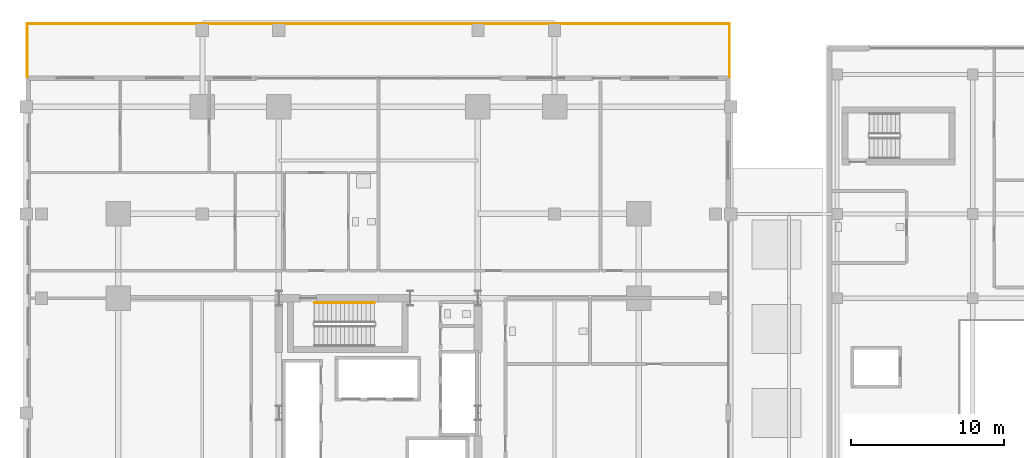
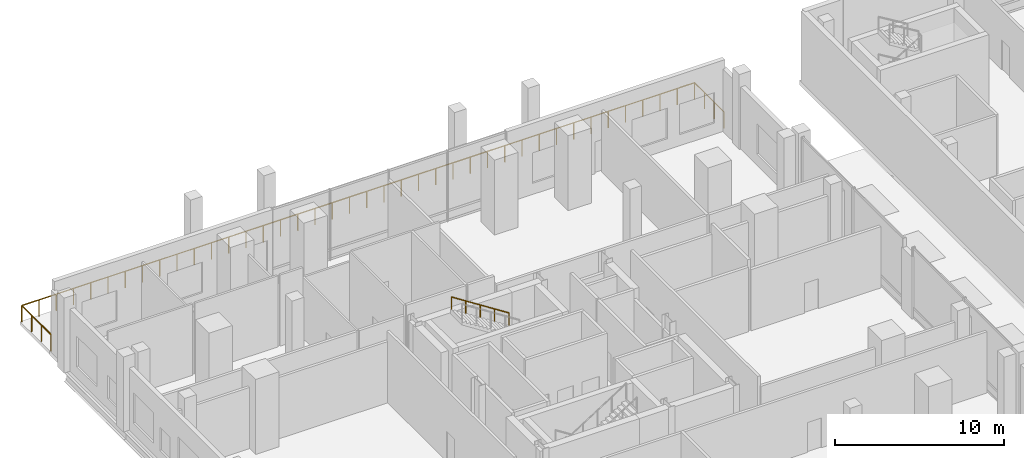
# One storey, part 33 of 36: 2 railings.
"""IFC4 building model written with IfcOpenShell, lengths in metres."""

from ifc_helpers import new_model, si_unit, direction, frame, origin, origin_2d, place, context, subcontext, project, spatial, circle, extrude, material, type_object, element, save


model = new_model("IFC4")

# Units and contexts
model_context = context("Model", 3, precision=1e-05, world=origin(), true_north=direction((0.0, 1.0)))
body_context = subcontext(model_context, "Body", "Model", "MODEL_VIEW")
ifc_project = project(units=[si_unit("LENGTHUNIT", "METRE"), si_unit("AREAUNIT", "SQUARE_METRE"), si_unit("VOLUMEUNIT", "CUBIC_METRE"), si_unit("PLANEANGLEUNIT", "RADIAN"), si_unit("MASSUNIT", "GRAM", prefix="KILO")], contexts=[model_context])

# Site, building, storey
site_placement = place(None, origin())
site = spatial("IfcSite", under=ifc_project, at=site_placement, CompositionType="ELEMENT")
building_placement = place(site_placement, origin())
building = spatial("IfcBuilding", under=site, at=building_placement, Name="Barlavira Tower and Art Museum", CompositionType="ELEMENT")
storey_placement = place(building_placement, frame((0.0, 0.0, 11.39990234375)))
storey = spatial("IfcBuildingStorey", under=building, at=storey_placement, Name="L02", CompositionType="ELEMENT", Elevation=11.39990234375)

# Railings
ifc_material_1 = material(Name="Brushed stainless steel", Category="steel")
railing_type_1 = type_object("IfcRailingType", Name="Stair Pitch Tubular Steel Handrail 920", PredefinedType="HANDRAIL", material=ifc_material_1)
railing_1_placement = place(storey_placement, frame((-0.25, 7.199951171875, 2.880126953125)))
element("IfcRailing", 1, at=railing_1_placement, inside=storey, type_object=railing_type_1, Name="L02 ST-T2 stair handrail 2", PredefinedType="HANDRAIL", context=body_context, shape_type="SweptSolid", body=[
    extrude(circle(Radius=0.02392578125, at=origin_2d()), frame((0.0, 0.0, 0.8759765625), z_axis=(-0.841171666519, 0.0, 0.540768182723), x_axis=(0.0, -1.0, 0.0)), (0.0, 0.0, 1.0), 4.66015625),
    extrude(circle(Radius=0.02099609375, at=origin_2d()), origin(), (0.0, 0.0, 1.0), 0.851806640625),
    extrude(circle(Radius=0.02099609375, at=origin_2d()), frame((-0.97998046875, 0.0, 0.6298828125)), (0.0, 0.0, 1.0), 0.851806640625),
    extrude(circle(Radius=0.02099609375, at=origin_2d()), frame((-1.9599609375, 0.0, 1.260009765625)), (0.0, 0.0, 1.0), 0.851806640625),
    extrude(circle(Radius=0.02099609375, at=origin_2d()), frame((-2.93994140625, 0.0, 1.89013671875)), (0.0, 0.0, 1.0), 0.851806640625),
    extrude(circle(Radius=0.02099609375, at=origin_2d()), frame((-3.919921875, 0.0, 2.52001953125)), (0.0, 0.0, 1.0), 0.851806640625),
])
ifc_material_2 = material(Name="Laminated safety glass and stainless steel", Category="steel")
railing_type_2 = type_object("IfcRailingType", Name="Terrace and Wind-Floor Laminated Glass Balustrade 1200", PredefinedType="BALUSTRADE", material=ifc_material_2)
railing_2_placement = place(storey_placement, frame((-22.919921875, 21.949951171875, 0.0)))
element("IfcRailing", 2, at=railing_2_placement, inside=storey, type_object=railing_type_2, Name="L02 North Cascade Terrace Balustrade", PredefinedType="BALUSTRADE", context=body_context, shape_type="SweptSolid", body=[
    extrude(circle(Radius=0.02392578125, at=origin_2d()), frame((0.0, 0.0, 1.17578125), z_axis=(0.0, 1.0, 0.0), x_axis=(-1.0, 0.0, 0.0)), (0.0, 0.0, 1.0), 3.469970703125),
    extrude(circle(Radius=0.02392578125, at=origin_2d()), frame((0.0, 3.469970703125, 1.17578125), z_axis=(1.0, 0.0, 0.0), x_axis=(0.0, 1.0, 0.0)), (0.0, 0.0, 1.0), 45.83984375),
    extrude(circle(Radius=0.02392578125, at=origin_2d()), frame((45.83984375, 3.469970703125, 1.17578125), z_axis=(0.0, -1.0, 0.0), x_axis=(1.0, 0.0, 0.0)), (0.0, 0.0, 1.0), 3.469970703125),
    extrude(circle(Radius=0.02099609375, at=origin_2d()), origin(), (0.0, 0.0, 1.0), 1.15185546875),
    extrude(circle(Radius=0.02099609375, at=origin_2d()), frame((0.0, 1.15673828125, 0.0)), (0.0, 0.0, 1.0), 1.15185546875),
    extrude(circle(Radius=0.02099609375, at=origin_2d()), frame((0.0, 2.313232421875, 0.0)), (0.0, 0.0, 1.0), 1.15185546875),
    extrude(circle(Radius=0.02099609375, at=origin_2d()), frame((0.0, 3.469970703125, 0.0)), (0.0, 0.0, 1.0), 1.15185546875),
    extrude(circle(Radius=0.02099609375, at=origin_2d()), frame((1.17529296875, 3.469970703125, 0.0)), (0.0, 0.0, 1.0), 1.15185546875),
    extrude(circle(Radius=0.02099609375, at=origin_2d()), frame((2.350830078125, 3.469970703125, 0.0)), (0.0, 0.0, 1.0), 1.15185546875),
    extrude(circle(Radius=0.02099609375, at=origin_2d()), frame((3.526123046875, 3.469970703125, 0.0)), (0.0, 0.0, 1.0), 1.15185546875),
    extrude(circle(Radius=0.02099609375, at=origin_2d()), frame((4.701416015625, 3.469970703125, 0.0)), (0.0, 0.0, 1.0), 1.15185546875),
    extrude(circle(Radius=0.02099609375, at=origin_2d()), frame((5.876953125, 3.469970703125, 0.0)), (0.0, 0.0, 1.0), 1.15185546875),
    extrude(circle(Radius=0.02099609375, at=origin_2d()), frame((7.05224609375, 3.469970703125, 0.0)), (0.0, 0.0, 1.0), 1.15185546875),
    extrude(circle(Radius=0.02099609375, at=origin_2d()), frame((8.227783203125, 3.469970703125, 0.0)), (0.0, 0.0, 1.0), 1.15185546875),
    extrude(circle(Radius=0.02099609375, at=origin_2d()), frame((9.403076171875, 3.469970703125, 0.0)), (0.0, 0.0, 1.0), 1.15185546875),
    extrude(circle(Radius=0.02099609375, at=origin_2d()), frame((10.578369140625, 3.469970703125, 0.0)), (0.0, 0.0, 1.0), 1.15185546875),
    extrude(circle(Radius=0.02099609375, at=origin_2d()), frame((11.75390625, 3.469970703125, 0.0)), (0.0, 0.0, 1.0), 1.15185546875),
    extrude(circle(Radius=0.02099609375, at=origin_2d()), frame((12.92919921875, 3.469970703125, 0.0)), (0.0, 0.0, 1.0), 1.15185546875),
    extrude(circle(Radius=0.02099609375, at=origin_2d()), frame((14.1044921875, 3.469970703125, 0.0)), (0.0, 0.0, 1.0), 1.15185546875),
    extrude(circle(Radius=0.02099609375, at=origin_2d()), frame((15.280029296875, 3.469970703125, 0.0)), (0.0, 0.0, 1.0), 1.15185546875),
    extrude(circle(Radius=0.02099609375, at=origin_2d()), frame((16.455322265625, 3.469970703125, 0.0)), (0.0, 0.0, 1.0), 1.15185546875),
    extrude(circle(Radius=0.02099609375, at=origin_2d()), frame((17.630615234375, 3.469970703125, 0.0)), (0.0, 0.0, 1.0), 1.15185546875),
    extrude(circle(Radius=0.02099609375, at=origin_2d()), frame((18.80615234375, 3.469970703125, 0.0)), (0.0, 0.0, 1.0), 1.15185546875),
    extrude(circle(Radius=0.02099609375, at=origin_2d()), frame((19.9814453125, 3.469970703125, 0.0)), (0.0, 0.0, 1.0), 1.15185546875),
    extrude(circle(Radius=0.02099609375, at=origin_2d()), frame((21.15673828125, 3.469970703125, 0.0)), (0.0, 0.0, 1.0), 1.15185546875),
    extrude(circle(Radius=0.02099609375, at=origin_2d()), frame((22.332275390625, 3.469970703125, 0.0)), (0.0, 0.0, 1.0), 1.15185546875),
    extrude(circle(Radius=0.02099609375, at=origin_2d()), frame((23.507568359375, 3.469970703125, 0.0)), (0.0, 0.0, 1.0), 1.15185546875),
    extrude(circle(Radius=0.02099609375, at=origin_2d()), frame((24.68310546875, 3.469970703125, 0.0)), (0.0, 0.0, 1.0), 1.15185546875),
    extrude(circle(Radius=0.02099609375, at=origin_2d()), frame((25.8583984375, 3.469970703125, 0.0)), (0.0, 0.0, 1.0), 1.15185546875),
    extrude(circle(Radius=0.02099609375, at=origin_2d()), frame((27.03369140625, 3.469970703125, 0.0)), (0.0, 0.0, 1.0), 1.15185546875),
    extrude(circle(Radius=0.02099609375, at=origin_2d()), frame((28.209228515625, 3.469970703125, 0.0)), (0.0, 0.0, 1.0), 1.15185546875),
    extrude(circle(Radius=0.02099609375, at=origin_2d()), frame((29.384521484375, 3.469970703125, 0.0)), (0.0, 0.0, 1.0), 1.15185546875),
    extrude(circle(Radius=0.02099609375, at=origin_2d()), frame((30.559814453125, 3.469970703125, 0.0)), (0.0, 0.0, 1.0), 1.15185546875),
    extrude(circle(Radius=0.02099609375, at=origin_2d()), frame((31.7353515625, 3.469970703125, 0.0)), (0.0, 0.0, 1.0), 1.15185546875),
    extrude(circle(Radius=0.02099609375, at=origin_2d()), frame((32.91064453125, 3.469970703125, 0.0)), (0.0, 0.0, 1.0), 1.15185546875),
    extrude(circle(Radius=0.02099609375, at=origin_2d()), frame((34.0859375, 3.469970703125, 0.0)), (0.0, 0.0, 1.0), 1.15185546875),
    extrude(circle(Radius=0.02099609375, at=origin_2d()), frame((35.261474609375, 3.469970703125, 0.0)), (0.0, 0.0, 1.0), 1.15185546875),
    extrude(circle(Radius=0.02099609375, at=origin_2d()), frame((36.436767578125, 3.469970703125, 0.0)), (0.0, 0.0, 1.0), 1.15185546875),
    extrude(circle(Radius=0.02099609375, at=origin_2d()), frame((37.612060546875, 3.469970703125, 0.0)), (0.0, 0.0, 1.0), 1.15185546875),
    extrude(circle(Radius=0.02099609375, at=origin_2d()), frame((38.78759765625, 3.469970703125, 0.0)), (0.0, 0.0, 1.0), 1.15185546875),
    extrude(circle(Radius=0.02099609375, at=origin_2d()), frame((39.962890625, 3.469970703125, 0.0)), (0.0, 0.0, 1.0), 1.15185546875),
    extrude(circle(Radius=0.02099609375, at=origin_2d()), frame((41.138427734375, 3.469970703125, 0.0)), (0.0, 0.0, 1.0), 1.15185546875),
    extrude(circle(Radius=0.02099609375, at=origin_2d()), frame((42.313720703125, 3.469970703125, 0.0)), (0.0, 0.0, 1.0), 1.15185546875),
    extrude(circle(Radius=0.02099609375, at=origin_2d()), frame((43.489013671875, 3.469970703125, 0.0)), (0.0, 0.0, 1.0), 1.15185546875),
    extrude(circle(Radius=0.02099609375, at=origin_2d()), frame((44.66455078125, 3.469970703125, 0.0)), (0.0, 0.0, 1.0), 1.15185546875),
    extrude(circle(Radius=0.02099609375, at=origin_2d()), frame((45.83984375, 3.469970703125, 0.0)), (0.0, 0.0, 1.0), 1.15185546875),
    extrude(circle(Radius=0.02099609375, at=origin_2d()), frame((45.83984375, 2.313232421875, 0.0)), (0.0, 0.0, 1.0), 1.15185546875),
    extrude(circle(Radius=0.02099609375, at=origin_2d()), frame((45.83984375, 1.15673828125, 0.0)), (0.0, 0.0, 1.0), 1.15185546875),
    extrude(circle(Radius=0.02099609375, at=origin_2d()), frame((45.83984375, 0.0, 0.0)), (0.0, 0.0, 1.0), 1.15185546875),
])

save(model, "model.ifc")
